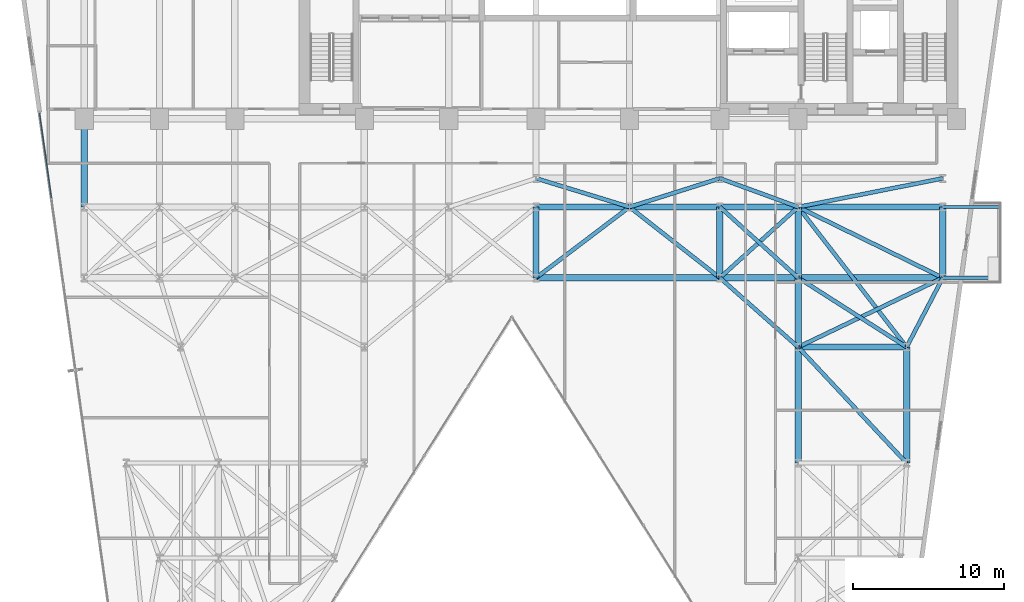
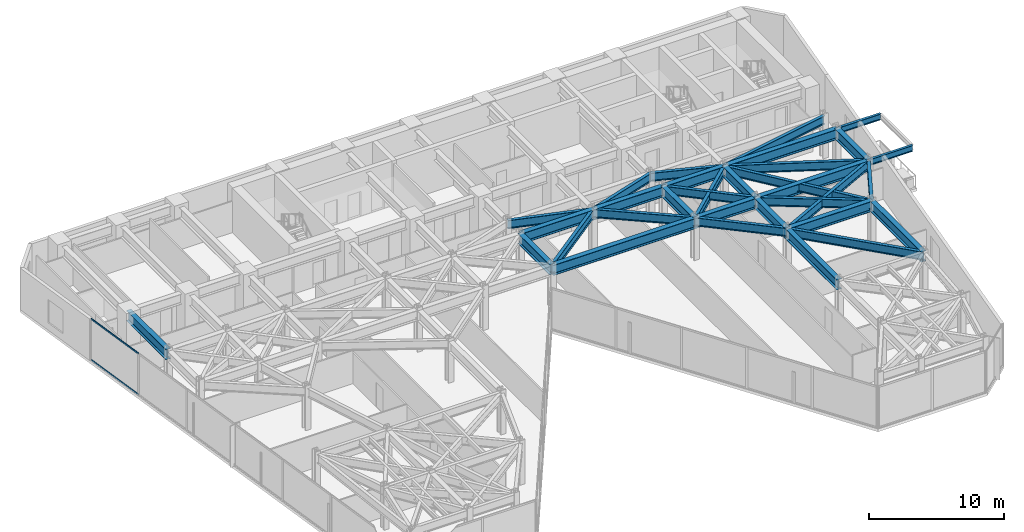
# One storey, part 16 of 25: 33 beams, 2 members, 1 element without a shape of its own.
"""IFC4 building model written with IfcOpenShell, lengths in metres."""

from ifc_helpers import new_model, si_unit, direction, frame, origin, origin_2d, place, context, subcontext, project, spatial, hollow_rectangle, i_section, extrude, material, layer, layer_set, material_profile, profile_set, type_object, element, aggregate, save


model = new_model("IFC4")

# Units and contexts
model_context = context("Model", 3, precision=1e-05, world=origin(), true_north=direction((0.0, 1.0)))
body_context = subcontext(model_context, "Body", "Model", "MODEL_VIEW")
ifc_project = project(units=[si_unit("LENGTHUNIT", "METRE"), si_unit("AREAUNIT", "SQUARE_METRE"), si_unit("VOLUMEUNIT", "CUBIC_METRE"), si_unit("PLANEANGLEUNIT", "RADIAN"), si_unit("MASSUNIT", "GRAM", prefix="KILO")], contexts=[model_context])

# Site, building, storey
site_placement = place(None, origin())
site = spatial("IfcSite", under=ifc_project, at=site_placement, CompositionType="ELEMENT")
building_placement = place(site_placement, origin())
building = spatial("IfcBuilding", under=site, at=building_placement, Name="Kravanh Interchange Tower", CompositionType="ELEMENT")
storey_placement = place(building_placement, frame((0.0, 0.0, 57.5)))
storey = spatial("IfcBuildingStorey", under=building, at=storey_placement, Name="L13", CompositionType="ELEMENT", Elevation=57.5)

# Curtain wall, members
ifc_material_1 = material(Name="Anodised Bronze Aluminium", Category="aluminium")
ifc_layer = layer(ifc_material_1, 0.179931640625)
ifc_layer_set = layer_set([ifc_layer], Name="Unitised Curtain Wall System CW-Z1 Lower Office")
curtain_wall_type = type_object("IfcCurtainWallType", Name="Unitised Curtain Wall System CW-Z1 Lower Office", PredefinedType="NOTDEFINED", material=ifc_layer_set)
curtain_wall_placement = place(storey_placement, origin())
curtain_wall = element("IfcCurtainWall", 1, at=curtain_wall_placement, inside=storey, type_object=curtain_wall_type, Name="L13 Unitised Curtain Wall CW-L13-01", PredefinedType="NOTDEFINED")
ifc_material_2 = material(Name="Anodised Bronze Aluminium", Category="aluminium")
ifc_material_profile_1 = material_profile(ifc_material_2, hollow_rectangle(XDim=0.06005859375, YDim=0.139892578125, WallThickness=0.00390625, at=origin_2d()), Name="ALU60X140X4")
ifc_profile_set_1 = profile_set([ifc_material_profile_1], Name="Anodised Bronze Aluminium")
member_type = type_object("IfcMemberType", Name="Curtain Wall Transom ALU60X140X4 Bronze", PredefinedType="USERDEFINED", material=ifc_profile_set_1)
member_1_placement = place(storey_placement, frame((6.422607421875, 32.1240234375, 0.030029296875), z_axis=(-0.139193386559, 0.990265217575, 0.0), x_axis=(-0.990265217575, -0.139193386559, 0.0)))
member_1 = element("IfcMember", 2, at=member_1_placement, type_object=member_type, Name="CW-Z1 transom 6.1", ObjectType="TRANSOM", PredefinedType="USERDEFINED", context=body_context, shape_type="SweptSolid", body=[
    extrude(hollow_rectangle(XDim=0.06005859375, YDim=0.139892578125, WallThickness=0.00390625, at=origin_2d()), origin(), (0.0, 0.0, 1.0), 5.661865234375),
])
member_2_placement = place(storey_placement, frame((6.422607421875, 32.1240234375, 3.7099609375), z_axis=(-0.139193386559, 0.990265217575, 0.0), x_axis=(-0.990265217575, -0.139193386559, 0.0)))
member_2 = element("IfcMember", 3, at=member_2_placement, type_object=member_type, Name="CW-Z1 transom 6.2", ObjectType="TRANSOM", PredefinedType="USERDEFINED", context=body_context, shape_type="SweptSolid", body=[
    extrude(hollow_rectangle(XDim=0.06005859375, YDim=0.139892578125, WallThickness=0.00390625, at=origin_2d()), origin(), (0.0, 0.0, 1.0), 5.661865234375),
])
aggregate(curtain_wall, [member_1, member_2])

# Beams
ifc_material_3 = material(Name="Structural Steel S355", Category="steel")
ifc_material_profile_2 = material_profile(ifc_material_3, i_section(OverallWidth=0.41796875, OverallDepth=0.927001953125, WebThickness=0.019287109375, FlangeThickness=0.031982421875, FilletRadius=0.028076171875, at=origin_2d()), Name="W36X231")
ifc_profile_set_2 = profile_set([ifc_material_profile_2], Name="Structural Steel S355")
beam_type_1 = type_object("IfcBeamType", Name="Floor Beam W36X231 Structural Steel S355", PredefinedType="BEAM", material=ifc_profile_set_2)
beam_1_placement = place(storey_placement, frame((8.60009765625, 37.35009765625, 3.276611328125), z_axis=(0.0, -1.0, 0.0), x_axis=(1.0, 0.0, 0.0)))
element("IfcBeam", 4, at=beam_1_placement, inside=storey, type_object=beam_type_1, Name="L13 Primary Floor Girder 36", PredefinedType="BEAM", context=body_context, shape_type="SweptSolid", body=[
    extrude(i_section(OverallWidth=0.41796875, OverallDepth=0.927001953125, WebThickness=0.019287109375, FlangeThickness=0.031982421875, FilletRadius=0.028076171875, at=origin_2d()), origin(), (0.0, 0.0, 1.0), 5.85009765625),
])
for number, where, z_axis, x_axis, name in (
    (5, (56.0, 14.5, 3.276611328125), (0.0, 1.0, 0.0), (-1.0, 0.0, 0.0), "L13 Primary Floor Girder 44"),
    (6, (63.199951171875, 14.5, 3.276611328125), (0.0, 1.0, 0.0), (-1.0, 0.0, 0.0), "L13 Primary Floor Girder 47"),
):
    element("IfcBeam", number, at=place(storey_placement, frame(where, z_axis=z_axis, x_axis=x_axis)), inside=storey, type_object=beam_type_1, Name=name, PredefinedType="BEAM", context=body_context, shape_type="SweptSolid", body=[
        extrude(i_section(OverallWidth=0.41796875, OverallDepth=0.927001953125, WebThickness=0.019287109375, FlangeThickness=0.031982421875, FilletRadius=0.028076171875, at=origin_2d()), origin(), (0.0, 0.0, 1.0), 7.699951171875),
    ])
beam_2_placement = place(storey_placement, frame((56.0, 22.199951171875, 3.276611328125), z_axis=(0.0, 1.0, 0.0), x_axis=(-1.0, 0.0, 0.0)))
element("IfcBeam", 7, at=beam_2_placement, inside=storey, type_object=beam_type_1, Name="L13 Primary Floor Girder 58", PredefinedType="BEAM", context=body_context, shape_type="SweptSolid", body=[
    extrude(i_section(OverallWidth=0.41796875, OverallDepth=0.927001953125, WebThickness=0.019287109375, FlangeThickness=0.031982421875, FilletRadius=0.028076171875, at=origin_2d()), origin(), (0.0, 0.0, 1.0), 4.60009765625),
])
beam_3_placement = place(storey_placement, frame((56.0, 22.199951171875, 3.276611328125), z_axis=(1.0, 0.0, 0.0), x_axis=(0.0, 1.0, 0.0)))
element("IfcBeam", 8, at=beam_3_placement, inside=storey, type_object=beam_type_1, Name="L13 Primary Floor Girder 60", PredefinedType="BEAM", context=body_context, shape_type="SweptSolid", body=[
    extrude(i_section(OverallWidth=0.41796875, OverallDepth=0.927001953125, WebThickness=0.019287109375, FlangeThickness=0.031982421875, FilletRadius=0.028076171875, at=origin_2d()), origin(), (0.0, 0.0, 1.0), 7.199951171875),
])
beam_4_placement = place(storey_placement, frame((38.60009765625, 26.800048828125, 3.276611328125), z_axis=(0.0, 1.0, 0.0), x_axis=(-1.0, 0.0, 0.0)))
element("IfcBeam", 9, at=beam_4_placement, inside=storey, type_object=beam_type_1, Name="L13 Primary Floor Girder 86", PredefinedType="BEAM", context=body_context, shape_type="SweptSolid", body=[
    extrude(i_section(OverallWidth=0.41796875, OverallDepth=0.927001953125, WebThickness=0.019287109375, FlangeThickness=0.031982421875, FilletRadius=0.028076171875, at=origin_2d()), origin(), (0.0, 0.0, 1.0), 4.699951171875),
])
beam_5_placement = place(storey_placement, frame((38.60009765625, 26.800048828125, 3.276611328125), z_axis=(1.0, 0.0, 0.0), x_axis=(0.0, 1.0, 0.0)))
element("IfcBeam", 10, at=beam_5_placement, inside=storey, type_object=beam_type_1, Name="L13 Primary Floor Girder 89", PredefinedType="BEAM", context=body_context, shape_type="SweptSolid", body=[
    extrude(i_section(OverallWidth=0.41796875, OverallDepth=0.927001953125, WebThickness=0.019287109375, FlangeThickness=0.031982421875, FilletRadius=0.028076171875, at=origin_2d()), origin(), (0.0, 0.0, 1.0), 12.199951171875),
])
beam_6_placement = place(storey_placement, frame((50.800048828125, 26.800048828125, 3.276611328125), z_axis=(0.0, 1.0, 0.0), x_axis=(-1.0, 0.0, 0.0)))
element("IfcBeam", 11, at=beam_6_placement, inside=storey, type_object=beam_type_1, Name="L13 Primary Floor Girder 90", PredefinedType="BEAM", context=body_context, shape_type="SweptSolid", body=[
    extrude(i_section(OverallWidth=0.41796875, OverallDepth=0.927001953125, WebThickness=0.019287109375, FlangeThickness=0.031982421875, FilletRadius=0.028076171875, at=origin_2d()), origin(), (0.0, 0.0, 1.0), 4.699951171875),
])
beam_7_placement = place(storey_placement, frame((50.800048828125, 26.800048828125, 3.276611328125), z_axis=(1.0, 0.0, 0.0), x_axis=(0.0, 1.0, 0.0)))
element("IfcBeam", 12, at=beam_7_placement, inside=storey, type_object=beam_type_1, Name="L13 Primary Floor Girder 91", PredefinedType="BEAM", context=body_context, shape_type="SweptSolid", body=[
    extrude(i_section(OverallWidth=0.41796875, OverallDepth=0.927001953125, WebThickness=0.019287109375, FlangeThickness=0.031982421875, FilletRadius=0.028076171875, at=origin_2d()), origin(), (0.0, 0.0, 1.0), 5.199951171875),
])
beam_8_placement = place(storey_placement, frame((56.0, 26.800048828125, 3.276611328125), z_axis=(0.0, 1.0, 0.0), x_axis=(-1.0, 0.0, 0.0)))
element("IfcBeam", 13, at=beam_8_placement, inside=storey, type_object=beam_type_1, Name="L13 Primary Floor Girder 94", PredefinedType="BEAM", context=body_context, shape_type="SweptSolid", body=[
    extrude(i_section(OverallWidth=0.41796875, OverallDepth=0.927001953125, WebThickness=0.019287109375, FlangeThickness=0.031982421875, FilletRadius=0.028076171875, at=origin_2d()), origin(), (0.0, 0.0, 1.0), 4.699951171875),
])
beam_9_placement = place(storey_placement, frame((56.0, 26.800048828125, 3.276611328125), z_axis=(1.0, 0.0, 0.0), x_axis=(0.0, 1.0, 0.0)))
element("IfcBeam", 14, at=beam_9_placement, inside=storey, type_object=beam_type_1, Name="L13 Primary Floor Girder 97", PredefinedType="BEAM", context=body_context, shape_type="SweptSolid", body=[
    extrude(i_section(OverallWidth=0.41796875, OverallDepth=0.927001953125, WebThickness=0.019287109375, FlangeThickness=0.031982421875, FilletRadius=0.028076171875, at=origin_2d()), origin(), (0.0, 0.0, 1.0), 9.60009765625),
])
beam_10_placement = place(storey_placement, frame((65.60009765625, 26.800048828125, 3.276611328125), z_axis=(0.0, 1.0, 0.0), x_axis=(-1.0, 0.0, 0.0)))
element("IfcBeam", 15, at=beam_10_placement, inside=storey, type_object=beam_type_1, Name="L13 Primary Floor Girder 98", PredefinedType="BEAM", context=body_context, shape_type="SweptSolid", body=[
    extrude(i_section(OverallWidth=0.41796875, OverallDepth=0.927001953125, WebThickness=0.019287109375, FlangeThickness=0.031982421875, FilletRadius=0.028076171875, at=origin_2d()), origin(), (0.0, 0.0, 1.0), 4.699951171875),
])
beam_11_placement = place(storey_placement, frame((38.60009765625, 31.5, 3.276611328125), z_axis=(1.0, 0.0, 0.0), x_axis=(0.0, 1.0, 0.0)))
element("IfcBeam", 16, at=beam_11_placement, inside=storey, type_object=beam_type_1, Name="L13 Primary Floor Girder 111", PredefinedType="BEAM", context=body_context, shape_type="SweptSolid", body=[
    extrude(i_section(OverallWidth=0.41796875, OverallDepth=0.927001953125, WebThickness=0.019287109375, FlangeThickness=0.031982421875, FilletRadius=0.028076171875, at=origin_2d()), origin(), (0.0, 0.0, 1.0), 6.199951171875),
])
beam_12_placement = place(storey_placement, frame((44.800048828125, 31.5, 3.276611328125), z_axis=(1.0, 0.0, 0.0), x_axis=(0.0, 1.0, 0.0)))
element("IfcBeam", 17, at=beam_12_placement, inside=storey, type_object=beam_type_1, Name="L13 Primary Floor Girder 113", PredefinedType="BEAM", context=body_context, shape_type="SweptSolid", body=[
    extrude(i_section(OverallWidth=0.41796875, OverallDepth=0.927001953125, WebThickness=0.019287109375, FlangeThickness=0.031982421875, FilletRadius=0.028076171875, at=origin_2d()), origin(), (0.0, 0.0, 1.0), 6.0),
])
beam_13_placement = place(storey_placement, frame((50.800048828125, 31.5, 3.276611328125), z_axis=(1.0, 0.0, 0.0), x_axis=(0.0, 1.0, 0.0)))
element("IfcBeam", 18, at=beam_13_placement, inside=storey, type_object=beam_type_1, Name="L13 Primary Floor Girder 116", PredefinedType="BEAM", context=body_context, shape_type="SweptSolid", body=[
    extrude(i_section(OverallWidth=0.41796875, OverallDepth=0.927001953125, WebThickness=0.019287109375, FlangeThickness=0.031982421875, FilletRadius=0.028076171875, at=origin_2d()), origin(), (0.0, 0.0, 1.0), 5.199951171875),
])
beam_14_placement = place(storey_placement, frame((56.0, 31.5, 3.276611328125), z_axis=(1.0, 0.0, 0.0), x_axis=(0.0, 1.0, 0.0)))
element("IfcBeam", 19, at=beam_14_placement, inside=storey, type_object=beam_type_1, Name="L13 Primary Floor Girder 119", PredefinedType="BEAM", context=body_context, shape_type="SweptSolid", body=[
    extrude(i_section(OverallWidth=0.41796875, OverallDepth=0.927001953125, WebThickness=0.019287109375, FlangeThickness=0.031982421875, FilletRadius=0.028076171875, at=origin_2d()), origin(), (0.0, 0.0, 1.0), 9.60009765625),
])
ifc_material_4 = material(Name="Structural Steel S355", Category="steel")
ifc_material_profile_3 = material_profile(ifc_material_4, i_section(OverallWidth=0.2099609375, OverallDepth=0.537109375, WebThickness=0.010986328125, FlangeThickness=0.017333984375, FilletRadius=0.02001953125, at=origin_2d()), Name="W21X68")
ifc_profile_set_3 = profile_set([ifc_material_profile_3], Name="Structural Steel S355")
beam_type_2 = type_object("IfcBeamType", Name="Floor Spandrel W21X68 Structural Steel S355", PredefinedType="SPANDREL", material=ifc_profile_set_3)
for number, where, z_axis, x_axis, name in (
    (20, (65.60009765625, 26.800048828125, 3.471435546875), (1.0, 0.0, 0.0), (0.0, 1.0, 0.0), "L13 Balcony Cantilever Outrigger E1"),
    (21, (65.60009765625, 31.5, 3.471435546875), (1.0, 0.0, 0.0), (0.0, 1.0, 0.0), "L13 Balcony Cantilever Outrigger E2"),
):
    element("IfcBeam", number, at=place(storey_placement, frame(where, z_axis=z_axis, x_axis=x_axis)), inside=storey, type_object=beam_type_2, Name=name, PredefinedType="SPANDREL", context=body_context, shape_type="SweptSolid", body=[
        extrude(i_section(OverallWidth=0.2099609375, OverallDepth=0.537109375, WebThickness=0.010986328125, FlangeThickness=0.017333984375, FilletRadius=0.02001953125, at=origin_2d()), origin(), (0.0, 0.0, 1.0), 3.72998046875),
    ])
ifc_material_5 = material(Name="Structural Steel S355", Category="steel")
ifc_material_profile_4 = material_profile(ifc_material_5, i_section(OverallWidth=0.26708984375, OverallDepth=0.761962890625, WebThickness=0.014404296875, FlangeThickness=0.021484375, FilletRadius=0.02490234375, at=origin_2d()), Name="W30X116")
ifc_profile_set_4 = profile_set([ifc_material_profile_4], Name="Structural Steel S355")
beam_type_3 = type_object("IfcBeamType", Name="Floor Spandrel W30X116 Structural Steel S355", PredefinedType="SPANDREL", material=ifc_profile_set_4)
beam_15_placement = place(storey_placement, frame((63.199951171875, 14.5, 3.35888671875), z_axis=(-0.682993762113, 0.73042420614, 0.0), x_axis=(-0.73042420614, -0.682993762113, 0.0)))
element("IfcBeam", 22, at=beam_15_placement, inside=storey, type_object=beam_type_3, Name="L13 Perimeter Spandrel 49", PredefinedType="SPANDREL", context=body_context, shape_type="SweptSolid", body=[
    extrude(i_section(OverallWidth=0.26708984375, OverallDepth=0.761962890625, WebThickness=0.014404296875, FlangeThickness=0.021484375, FilletRadius=0.02490234375, at=origin_2d()), origin(), (0.0, 0.0, 1.0), 10.541748046875),
])
beam_16_placement = place(storey_placement, frame((56.0, 22.199951171875, 3.35888671875), z_axis=(-0.74898649432, 0.662585263439, 0.0), x_axis=(-0.662585263439, -0.74898649432, 0.0)))
element("IfcBeam", 23, at=beam_16_placement, inside=storey, type_object=beam_type_3, Name="L13 Perimeter Spandrel 59", PredefinedType="SPANDREL", context=body_context, shape_type="SweptSolid", body=[
    extrude(i_section(OverallWidth=0.26708984375, OverallDepth=0.761962890625, WebThickness=0.014404296875, FlangeThickness=0.021484375, FilletRadius=0.02490234375, at=origin_2d()), origin(), (0.0, 0.0, 1.0), 6.942626953125),
])
beam_17_placement = place(storey_placement, frame((56.0, 22.199951171875, 3.35888671875), z_axis=(0.901814166789, 0.432124066188, 0.0), x_axis=(-0.432124066188, 0.901814166789, 0.0)))
element("IfcBeam", 24, at=beam_17_placement, inside=storey, type_object=beam_type_3, Name="L13 Perimeter Spandrel 61", PredefinedType="SPANDREL", context=body_context, shape_type="SweptSolid", body=[
    extrude(i_section(OverallWidth=0.26708984375, OverallDepth=0.761962890625, WebThickness=0.014404296875, FlangeThickness=0.021484375, FilletRadius=0.02490234375, at=origin_2d()), origin(), (0.0, 0.0, 1.0), 10.645263671875),
])
beam_18_placement = place(storey_placement, frame((63.199951171875, 22.199951171875, 3.35888671875), z_axis=(0.462580479178, 0.886577295155, 0.0), x_axis=(-0.886577295155, 0.462580479178, 0.0)))
element("IfcBeam", 25, at=beam_18_placement, inside=storey, type_object=beam_type_3, Name="L13 Perimeter Spandrel 62", PredefinedType="SPANDREL", context=body_context, shape_type="SweptSolid", body=[
    extrude(i_section(OverallWidth=0.26708984375, OverallDepth=0.761962890625, WebThickness=0.014404296875, FlangeThickness=0.021484375, FilletRadius=0.02490234375, at=origin_2d()), origin(), (0.0, 0.0, 1.0), 5.188720703125),
])
beam_19_placement = place(storey_placement, frame((63.199951171875, 22.199951171875, 3.35888671875), z_axis=(-0.842689417531, 0.53839998661, 0.0), x_axis=(-0.53839998661, -0.842689417531, 0.0)))
element("IfcBeam", 26, at=beam_19_placement, inside=storey, type_object=beam_type_3, Name="L13 Perimeter Spandrel 63", PredefinedType="SPANDREL", context=body_context, shape_type="SweptSolid", body=[
    extrude(i_section(OverallWidth=0.26708984375, OverallDepth=0.761962890625, WebThickness=0.014404296875, FlangeThickness=0.021484375, FilletRadius=0.02490234375, at=origin_2d()), origin(), (0.0, 0.0, 1.0), 8.5439453125),
])
beam_20_placement = place(storey_placement, frame((63.199951171875, 22.199951171875, 3.35888671875), z_axis=(-0.612168587637, 0.790727273028, 0.0), x_axis=(-0.790727273028, -0.612168587637, 0.0)))
element("IfcBeam", 27, at=beam_20_placement, inside=storey, type_object=beam_type_3, Name="L13 Perimeter Spandrel 65", PredefinedType="SPANDREL", context=body_context, shape_type="SweptSolid", body=[
    extrude(i_section(OverallWidth=0.26708984375, OverallDepth=0.761962890625, WebThickness=0.014404296875, FlangeThickness=0.021484375, FilletRadius=0.02490234375, at=origin_2d()), origin(), (0.0, 0.0, 1.0), 11.761474609375),
])
beam_21_placement = place(storey_placement, frame((38.60009765625, 26.800048828125, 3.35888671875), z_axis=(0.796905365509, 0.604104161898, 0.0), x_axis=(-0.604104161898, 0.796905365509, 0.0)))
element("IfcBeam", 28, at=beam_21_placement, inside=storey, type_object=beam_type_3, Name="L13 Perimeter Spandrel 88", PredefinedType="SPANDREL", context=body_context, shape_type="SweptSolid", body=[
    extrude(i_section(OverallWidth=0.26708984375, OverallDepth=0.761962890625, WebThickness=0.014404296875, FlangeThickness=0.021484375, FilletRadius=0.02490234375, at=origin_2d()), origin(), (0.0, 0.0, 1.0), 7.780029296875),
])
beam_22_placement = place(storey_placement, frame((50.800048828125, 26.800048828125, 3.35888671875), z_axis=(0.741874009795, 0.670539300557, 0.0), x_axis=(-0.670539300557, 0.741874009795, 0.0)))
element("IfcBeam", 29, at=beam_22_placement, inside=storey, type_object=beam_type_3, Name="L13 Perimeter Spandrel 92", PredefinedType="SPANDREL", context=body_context, shape_type="SweptSolid", body=[
    extrude(i_section(OverallWidth=0.26708984375, OverallDepth=0.761962890625, WebThickness=0.014404296875, FlangeThickness=0.021484375, FilletRadius=0.02490234375, at=origin_2d()), origin(), (0.0, 0.0, 1.0), 7.00927734375),
])
beam_23_placement = place(storey_placement, frame((50.800048828125, 26.800048828125, 3.35888671875), z_axis=(-0.787231163579, 0.616658004967, 0.0), x_axis=(-0.616658004967, -0.787231163579, 0.0)))
element("IfcBeam", 30, at=beam_23_placement, inside=storey, type_object=beam_type_3, Name="L13 Perimeter Spandrel 93", PredefinedType="SPANDREL", context=body_context, shape_type="SweptSolid", body=[
    extrude(i_section(OverallWidth=0.26708984375, OverallDepth=0.761962890625, WebThickness=0.014404296875, FlangeThickness=0.021484375, FilletRadius=0.02490234375, at=origin_2d()), origin(), (0.0, 0.0, 1.0), 7.62158203125),
])
beam_24_placement = place(storey_placement, frame((56.0, 26.800048828125, 3.35888671875), z_axis=(-0.741874009795, 0.670539300557, 0.0), x_axis=(-0.670539300557, -0.741874009795, 0.0)))
element("IfcBeam", 31, at=beam_24_placement, inside=storey, type_object=beam_type_3, Name="L13 Perimeter Spandrel 95", PredefinedType="SPANDREL", context=body_context, shape_type="SweptSolid", body=[
    extrude(i_section(OverallWidth=0.26708984375, OverallDepth=0.761962890625, WebThickness=0.014404296875, FlangeThickness=0.021484375, FilletRadius=0.02490234375, at=origin_2d()), origin(), (0.0, 0.0, 1.0), 7.00927734375),
])
beam_25_placement = place(storey_placement, frame((65.60009765625, 26.800048828125, 3.35888671875), z_axis=(-0.898141688387, 0.439706160499, 0.0), x_axis=(-0.439706160499, -0.898141688387, 0.0)))
element("IfcBeam", 32, at=beam_25_placement, inside=storey, type_object=beam_type_3, Name="L13 Perimeter Spandrel 99", PredefinedType="SPANDREL", context=body_context, shape_type="SweptSolid", body=[
    extrude(i_section(OverallWidth=0.26708984375, OverallDepth=0.761962890625, WebThickness=0.014404296875, FlangeThickness=0.021484375, FilletRadius=0.02490234375, at=origin_2d()), origin(), (0.0, 0.0, 1.0), 10.68896484375),
])
beam_26_placement = place(storey_placement, frame((44.800048828125, 31.5, 3.35888671875), z_axis=(0.953346691051, 0.301877602122, 0.0), x_axis=(-0.301877602122, 0.953346691051, 0.0)))
element("IfcBeam", 33, at=beam_26_placement, inside=storey, type_object=beam_type_3, Name="L13 Perimeter Spandrel 114", PredefinedType="SPANDREL", context=body_context, shape_type="SweptSolid", body=[
    extrude(i_section(OverallWidth=0.26708984375, OverallDepth=0.761962890625, WebThickness=0.014404296875, FlangeThickness=0.021484375, FilletRadius=0.02490234375, at=origin_2d()), origin(), (0.0, 0.0, 1.0), 6.293701171875),
])
beam_27_placement = place(storey_placement, frame((44.800048828125, 31.5, 3.35888671875), z_axis=(-0.956115397264, 0.292990353279, 0.0), x_axis=(-0.292990353279, -0.956115397264, 0.0)))
element("IfcBeam", 34, at=beam_27_placement, inside=storey, type_object=beam_type_3, Name="L13 Perimeter Spandrel 115", PredefinedType="SPANDREL", context=body_context, shape_type="SweptSolid", body=[
    extrude(i_section(OverallWidth=0.26708984375, OverallDepth=0.761962890625, WebThickness=0.014404296875, FlangeThickness=0.021484375, FilletRadius=0.02490234375, at=origin_2d()), origin(), (0.0, 0.0, 1.0), 6.484619140625),
])
beam_28_placement = place(storey_placement, frame((56.0, 31.5, 3.35888671875), z_axis=(-0.93926957103, 0.343180233896, 0.0), x_axis=(-0.343180233896, -0.93926957103, 0.0)))
element("IfcBeam", 35, at=beam_28_placement, inside=storey, type_object=beam_type_3, Name="L13 Perimeter Spandrel 118", PredefinedType="SPANDREL", context=body_context, shape_type="SweptSolid", body=[
    extrude(i_section(OverallWidth=0.26708984375, OverallDepth=0.761962890625, WebThickness=0.014404296875, FlangeThickness=0.021484375, FilletRadius=0.02490234375, at=origin_2d()), origin(), (0.0, 0.0, 1.0), 5.5361328125),
])
beam_29_placement = place(storey_placement, frame((56.0, 31.5, 3.35888671875), z_axis=(0.980974000807, 0.194139150457, 0.0), x_axis=(-0.194139150457, 0.980974000807, 0.0)))
element("IfcBeam", 36, at=beam_29_placement, inside=storey, type_object=beam_type_3, Name="L13 Perimeter Spandrel 120", PredefinedType="SPANDREL", context=body_context, shape_type="SweptSolid", body=[
    extrude(i_section(OverallWidth=0.26708984375, OverallDepth=0.761962890625, WebThickness=0.014404296875, FlangeThickness=0.021484375, FilletRadius=0.02490234375, at=origin_2d()), origin(), (0.0, 0.0, 1.0), 9.786376953125),
])

save(model, "model.ifc")
